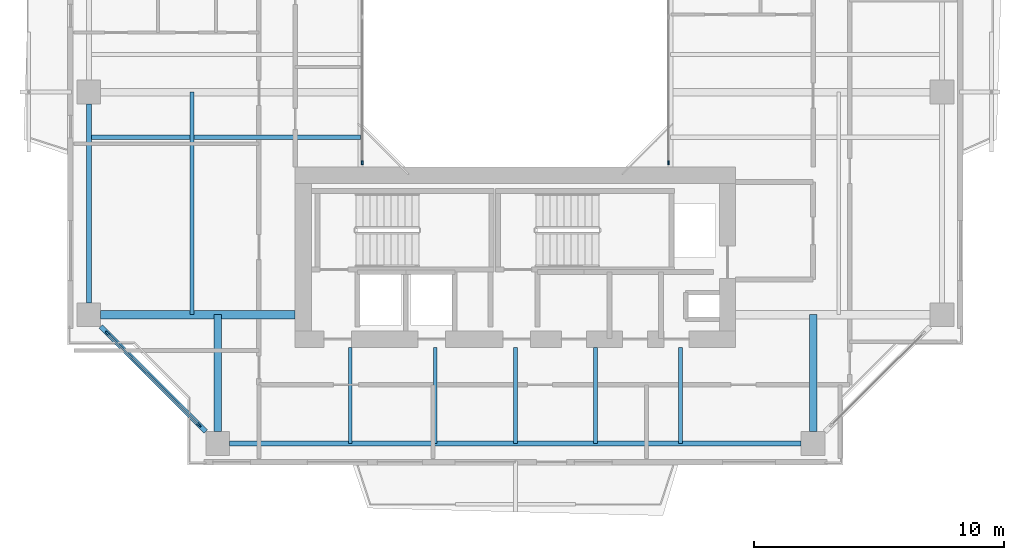
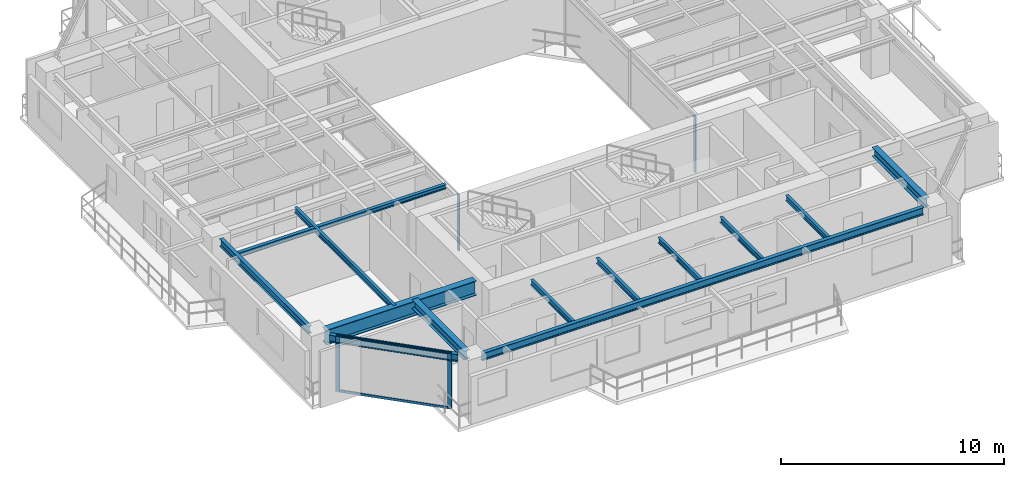
# One storey, part 2 of 17: 13 beams, 6 members, 3 elements without a shape of their own.
"""IFC4 building model written with IfcOpenShell, lengths in metres."""

from ifc_helpers import new_model, si_unit, direction, frame, origin, origin_2d, place, context, subcontext, project, spatial, rectangle, i_section, extrude, source, transform, mapped, material, layer, layer_set, material_profile, profile_set, type_object, element, aggregate, save


model = new_model("IFC4")

# Units and contexts
model_context = context("Model", 3, precision=1e-05, world=origin(), true_north=direction((0.0, 1.0)))
body_context = subcontext(model_context, "Body", "Model", "MODEL_VIEW")
ifc_project = project(units=[si_unit("LENGTHUNIT", "METRE"), si_unit("AREAUNIT", "SQUARE_METRE"), si_unit("VOLUMEUNIT", "CUBIC_METRE"), si_unit("PLANEANGLEUNIT", "RADIAN"), si_unit("MASSUNIT", "GRAM", prefix="KILO"), si_unit("THERMODYNAMICTEMPERATUREUNIT", "KELVIN"), si_unit("POWERUNIT", "WATT")], contexts=[model_context])

# Site, building, storey
site_placement = place(None, origin())
site = spatial("IfcSite", under=ifc_project, at=site_placement, CompositionType="ELEMENT")
building_placement = place(site_placement, origin())
building = spatial("IfcBuilding", under=site, at=building_placement, Name="Qiaomeng Ring Towers", CompositionType="ELEMENT")
storey_placement = place(building_placement, frame((0.0, 0.0, 150.25)))
storey = spatial("IfcBuildingStorey", under=building, at=storey_placement, Name="L43", CompositionType="ELEMENT", Elevation=150.25)

# Beams
ifc_material_1 = material(Name="Steel Q355B", Category="steel")
ifc_material_profile_1 = material_profile(ifc_material_1, i_section(OverallWidth=0.14990234375, OverallDepth=0.300048828125, WebThickness=0.006591796875, FlangeThickness=0.009033203125, FilletRadius=0.012939453125, at=origin_2d()), Name="HN 300x150x6.5x9")
ifc_profile_set_1 = profile_set([ifc_material_profile_1], Name="Steel Q355B")
beam_type_1 = type_object("IfcBeamType", Name="STR-BM-HN300", PredefinedType="JOIST", material=ifc_profile_set_1)
shared_shape_1 = source(origin(), body_context, "Body", "SweptSolid", [
    extrude(i_section(OverallWidth=0.14990234375, OverallDepth=0.300048828125, WebThickness=0.006591796875, FlangeThickness=0.009033203125, FilletRadius=0.012939453125, at=origin_2d()), origin(), (0.0, 0.0, 1.0), 3.85009765625),
])
for number, where, z_axis, x_axis, name in (
    (1, (12.39990234375, 5.949951171875, 2.919921875), (0.0, 1.0, 0.0), (-1.0, 0.0, 0.0), "L43 beam STR-JST-L43-T1S-1"),
    (2, (15.800048828125, 5.949951171875, 2.919921875), (0.0, 1.0, 0.0), (-1.0, 0.0, 0.0), "L43 beam STR-JST-L43-T1S-2"),
    (3, (19.0, 5.949951171875, 2.919921875), (0.0, 1.0, 0.0), (-1.0, 0.0, 0.0), "L43 beam STR-JST-L43-T1S-3"),
    (4, (22.199951171875, 5.949951171875, 2.919921875), (0.0, 1.0, 0.0), (-1.0, 0.0, 0.0), "L43 beam STR-JST-L43-T1S-4"),
    (5, (25.60009765625, 5.949951171875, 2.919921875), (0.0, 1.0, 0.0), (-1.0, 0.0, 0.0), "L43 beam STR-JST-L43-T1S-5"),
):
    element("IfcBeam", number, at=place(storey_placement, frame(where, z_axis=z_axis, x_axis=x_axis)), inside=storey, type_object=beam_type_1, Name=name, PredefinedType="JOIST", context=body_context, shape_type="MappedRepresentation", body=[
        mapped(shared_shape_1, transform((0.0, 0.0, 0.0), x_axis=(1.0, 0.0, 0.0), y_axis=(0.0, 1.0, 0.0), z_axis=(0.0, 0.0, 1.0), scale=1.0)),
    ])
ifc_material_profile_2 = material_profile(ifc_material_1, i_section(OverallWidth=0.175048828125, OverallDepth=0.243896484375, WebThickness=0.007080078125, FlangeThickness=0.010986328125, FilletRadius=0.01611328125, at=origin_2d()), Name="HM 244x175x7x11")
ifc_profile_set_2 = profile_set([ifc_material_profile_2], Name="Steel Q355B")
beam_type_2 = type_object("IfcBeamType", Name="STR-BM-HM244", PredefinedType="JOIST", material=ifc_profile_set_2)
shared_shape_2 = source(origin(), body_context, "Body", "SweptSolid", [
    extrude(i_section(OverallWidth=0.175048828125, OverallDepth=0.243896484375, WebThickness=0.007080078125, FlangeThickness=0.010986328125, FilletRadius=0.01611328125, at=origin_2d()), origin(), (0.0, 0.0, 1.0), 10.85009765625),
])
beam_1_placement = place(storey_placement, frame((1.949951171875, 18.199951171875, 2.947998046875), z_axis=(1.0, 0.0, 0.0), x_axis=(0.0, 1.0, 0.0)))
element("IfcBeam", 6, at=beam_1_placement, inside=storey, type_object=beam_type_2, Name="L43 beam STR-JST-L43-T1W-1", PredefinedType="JOIST", context=body_context, shape_type="MappedRepresentation", body=[
    mapped(shared_shape_2, transform((0.0, 0.0, 0.0), x_axis=(1.0, 0.0, 0.0), y_axis=(0.0, 1.0, 0.0), z_axis=(0.0, 0.0, 1.0), scale=1.0)),
])
shared_shape_3 = source(origin(), body_context, "Body", "SweptSolid", [
    extrude(i_section(OverallWidth=0.14990234375, OverallDepth=0.300048828125, WebThickness=0.006591796875, FlangeThickness=0.009033203125, FilletRadius=0.012939453125, at=origin_2d()), origin(), (0.0, 0.0, 1.0), 8.89990234375),
])
beam_2_placement = place(storey_placement, frame((6.074951171875, 11.10009765625, 2.919921875), z_axis=(0.0, 1.0, 0.0), x_axis=(-1.0, 0.0, 0.0)))
element("IfcBeam", 7, at=beam_2_placement, inside=storey, type_object=beam_type_1, Name="L43 beam STR-JST-L43-T1C-WS", PredefinedType="JOIST", context=body_context, shape_type="MappedRepresentation", body=[
    mapped(shared_shape_3, transform((0.0, 0.0, 0.0), x_axis=(1.0, 0.0, 0.0), y_axis=(0.0, 1.0, 0.0), z_axis=(0.0, 0.0, 1.0), scale=1.0)),
])
ifc_material_profile_3 = material_profile(ifc_material_1, i_section(OverallWidth=0.199951171875, OverallDepth=0.39990234375, WebThickness=0.008056640625, FlangeThickness=0.012939453125, FilletRadius=0.01611328125, at=origin_2d()), Name="HN 400x200x8x13")
ifc_profile_set_3 = profile_set([ifc_material_profile_3], Name="Steel Q355B")
beam_type_3 = type_object("IfcBeamType", Name="STR-BM-HN400", PredefinedType="SPANDREL", material=ifc_profile_set_3)
shared_shape_4 = source(origin(), body_context, "Body", "SweptSolid", [
    extrude(i_section(OverallWidth=0.199951171875, OverallDepth=0.39990234375, WebThickness=0.008056640625, FlangeThickness=0.012939453125, FilletRadius=0.01611328125, at=origin_2d()), origin(), (0.0, 0.0, 1.0), 22.85205078125),
])
beam_3_placement = place(storey_placement, frame((7.573974609375, 5.949951171875, 2.8701171875), z_axis=(1.0, 0.0, 0.0), x_axis=(0.0, 1.0, 0.0)))
element("IfcBeam", 8, at=beam_3_placement, inside=storey, type_object=beam_type_3, Name="L43 beam STR-SP-L43-T1-S1-S2", PredefinedType="SPANDREL", context=body_context, shape_type="MappedRepresentation", body=[
    mapped(shared_shape_4, transform((0.0, 0.0, 0.0), x_axis=(1.0, 0.0, 0.0), y_axis=(0.0, 1.0, 0.0), z_axis=(0.0, 0.0, 1.0), scale=1.0)),
])
shared_shape_5 = source(origin(), body_context, "Body", "SweptSolid", [
    extrude(i_section(OverallWidth=0.199951171875, OverallDepth=0.39990234375, WebThickness=0.008056640625, FlangeThickness=0.012939453125, FilletRadius=0.01611328125, at=origin_2d()), origin(), (0.0, 0.0, 1.0), 5.941650390625),
])
beam_4_placement = place(storey_placement, frame((2.42431640625, 10.625732421875, 2.8701171875), z_axis=(0.707106781187, -0.707106781187, 0.0), x_axis=(0.707106781187, 0.707106781187, 0.0)))
element("IfcBeam", 9, at=beam_4_placement, inside=storey, type_object=beam_type_3, Name="L43 beam STR-SP-L43-T1-W1-S1", PredefinedType="SPANDREL", context=body_context, shape_type="MappedRepresentation", body=[
    mapped(shared_shape_5, transform((0.0, 0.0, 0.0), x_axis=(1.0, 0.0, 0.0), y_axis=(0.0, 1.0, 0.0), z_axis=(0.0, 0.0, 1.0), scale=1.0)),
])
shared_shape_6 = source(origin(), body_context, "Body", "SweptSolid", [
    extrude(i_section(OverallWidth=0.199951171875, OverallDepth=0.39990234375, WebThickness=0.008056640625, FlangeThickness=0.012939453125, FilletRadius=0.01611328125, at=origin_2d()), origin(), (0.0, 0.0, 1.0), 7.951904296875),
])
beam_5_placement = place(storey_placement, frame((1.949951171875, 19.52587890625, 2.8701171875), z_axis=(0.0, -1.0, 0.0), x_axis=(1.0, 0.0, 0.0)))
element("IfcBeam", 10, at=beam_5_placement, inside=storey, type_object=beam_type_3, Name="L43 beam STR-SP-L43-T1-W2-W1", PredefinedType="SPANDREL", context=body_context, shape_type="MappedRepresentation", body=[
    mapped(shared_shape_6, transform((0.0, 0.0, 0.0), x_axis=(1.0, 0.0, 0.0), y_axis=(0.0, 1.0, 0.0), z_axis=(0.0, 0.0, 1.0), scale=1.0)),
])
ifc_material_2 = material(Name="Steel Q390GJC", Category="steel")
ifc_material_profile_4 = material_profile(ifc_material_2, i_section(OverallWidth=0.35009765625, OverallDepth=0.800048828125, WebThickness=0.01611328125, FlangeThickness=0.028076171875, at=origin_2d()), Name="WH 800x350x16x28")
ifc_profile_set_4 = profile_set([ifc_material_profile_4], Name="Steel Q390GJC")
beam_type_4 = type_object("IfcBeamType", Name="STR-BM-WH800", PredefinedType="BEAM", material=ifc_profile_set_4)
shared_shape_7 = source(origin(), body_context, "Body", "SweptSolid", [
    extrude(i_section(OverallWidth=0.35009765625, OverallDepth=0.800048828125, WebThickness=0.01611328125, FlangeThickness=0.028076171875, at=origin_2d()), origin(), (0.0, 0.0, 1.0), 7.77587890625),
])
beam_6_placement = place(storey_placement, frame((2.424072265625, 11.10009765625, 2.669921875), z_axis=(1.0, 0.0, 0.0), x_axis=(0.0, 1.0, 0.0)))
element("IfcBeam", 11, at=beam_6_placement, inside=storey, type_object=beam_type_4, Name="L43 beam STR-BM-L43-T1-RAD-W1", PredefinedType="BEAM", context=body_context, shape_type="MappedRepresentation", body=[
    mapped(shared_shape_7, transform((0.0, 0.0, 0.0), x_axis=(1.0, 0.0, 0.0), y_axis=(0.0, 1.0, 0.0), z_axis=(0.0, 0.0, 1.0), scale=1.0)),
])
ifc_material_profile_5 = material_profile(ifc_material_1, i_section(OverallWidth=0.300048828125, OverallDepth=0.488037109375, WebThickness=0.010986328125, FlangeThickness=0.01806640625, FilletRadius=0.02587890625, at=origin_2d()), Name="HM 488x300x11x18")
ifc_profile_set_5 = profile_set([ifc_material_profile_5], Name="Steel Q355B")
beam_type_5 = type_object("IfcBeamType", Name="STR-BM-HM488", PredefinedType="BEAM", material=ifc_profile_set_5)
shared_shape_8 = source(origin(), body_context, "Body", "SweptSolid", [
    extrude(i_section(OverallWidth=0.300048828125, OverallDepth=0.488037109375, WebThickness=0.010986328125, FlangeThickness=0.01806640625, FilletRadius=0.02587890625, at=origin_2d()), origin(), (0.0, 0.0, 1.0), 4.676025390625),
])
for number, where, z_axis, x_axis, name in (
    (12, (7.10009765625, 6.424072265625, 2.825927734375), (0.0, 1.0, 0.0), (-1.0, 0.0, 0.0), "L43 beam STR-BM-L43-T1-RAD-S1"),
    (13, (30.89990234375, 6.424072265625, 2.825927734375), (0.0, 1.0, 0.0), (-1.0, 0.0, 0.0), "L43 beam STR-BM-L43-T1-RAD-S2"),
):
    element("IfcBeam", number, at=place(storey_placement, frame(where, z_axis=z_axis, x_axis=x_axis)), inside=storey, type_object=beam_type_5, Name=name, PredefinedType="BEAM", context=body_context, shape_type="MappedRepresentation", body=[
        mapped(shared_shape_8, transform((0.0, 0.0, 0.0), x_axis=(1.0, 0.0, 0.0), y_axis=(0.0, 1.0, 0.0), z_axis=(0.0, 0.0, 1.0), scale=1.0)),
    ])

# Curtain wall, member
ifc_material_3 = material(Name="Fluorocarbon dark-grey aluminium", Category="aluminium")
ifc_layer_1 = layer(ifc_material_3, 0.139892578125, Name="Fluorocarbon dark-grey aluminium")
ifc_layer_set_1 = layer_set([ifc_layer_1], Name="Fluorocarbon dark-grey aluminium")
curtain_wall_type_1 = type_object("IfcCurtainWallType", Name="ARC-CW-4", PredefinedType="NOTDEFINED", material=ifc_layer_set_1)
curtain_wall_1_placement = place(storey_placement, origin())
curtain_wall_1 = element("IfcCurtainWall", 14, at=curtain_wall_1_placement, inside=storey, type_object=curtain_wall_type_1, Name="L43 Curtain Wall CW4", PredefinedType="NOTDEFINED")
ifc_material_profile_6 = material_profile(ifc_material_3, rectangle(XDim=0.06494140625, YDim=0.159912109375, at=origin_2d()), Name="ALU MULL 65x160")
ifc_profile_set_6 = profile_set([ifc_material_profile_6], Name="Fluorocarbon dark-grey aluminium")
member_type_1 = type_object("IfcMemberType", Name="ARC-CWM-140", PredefinedType="MULLION", material=ifc_profile_set_6)
shared_shape_9 = source(origin(), body_context, "Body", "SweptSolid", [
    extrude(rectangle(XDim=0.06494140625, YDim=0.159912109375, at=origin_2d()), origin(), (0.0, 0.0, 1.0), 3.070068359375),
])
member_1_placement = place(storey_placement, frame((12.8798828125, 17.1826171875, 0.0), z_axis=(0.0, 0.0, 1.0), x_axis=(-1.0, 0.0, 0.0)))
member_1 = element("IfcMember", 15, at=member_1_placement, type_object=member_type_1, Name="CW4 mullion 1", PredefinedType="MULLION", context=body_context, shape_type="MappedRepresentation", body=[
    mapped(shared_shape_9, transform((0.0, 0.0, 0.0), x_axis=(1.0, 0.0, 0.0), y_axis=(0.0, 1.0, 0.0), z_axis=(0.0, 0.0, 1.0), scale=1.0)),
])
aggregate(curtain_wall_1, [member_1])

curtain_wall_2_placement = place(storey_placement, origin())
curtain_wall_2 = element("IfcCurtainWall", 16, at=curtain_wall_2_placement, inside=storey, type_object=curtain_wall_type_1, Name="L43 Curtain Wall CW4", PredefinedType="NOTDEFINED")
member_2_placement = place(storey_placement, frame((25.1201171875, 17.1826171875, 0.0), z_axis=(0.0, 0.0, 1.0), x_axis=(-1.0, 0.0, 0.0)))
member_2 = element("IfcMember", 17, at=member_2_placement, type_object=member_type_1, Name="CW4 mullion 1", PredefinedType="MULLION", context=body_context, shape_type="MappedRepresentation", body=[
    mapped(shared_shape_9, transform((0.0, 0.0, 0.0), x_axis=(1.0, 0.0, 0.0), y_axis=(0.0, 1.0, 0.0), z_axis=(0.0, 0.0, 1.0), scale=1.0)),
])
aggregate(curtain_wall_2, [member_2])

# Curtain wall, members
ifc_layer_2 = layer(ifc_material_3, 0.14990234375, Name="Fluorocarbon dark-grey aluminium")
ifc_layer_set_2 = layer_set([ifc_layer_2], Name="Fluorocarbon dark-grey aluminium")
curtain_wall_type_2 = type_object("IfcCurtainWallType", Name="ARC-CW-3", PredefinedType="NOTDEFINED", material=ifc_layer_set_2)
curtain_wall_3_placement = place(storey_placement, origin())
curtain_wall_3 = element("IfcCurtainWall", 18, at=curtain_wall_3_placement, inside=storey, type_object=curtain_wall_type_2, Name="L43 Curtain Wall CW3", PredefinedType="NOTDEFINED")
ifc_material_profile_7 = material_profile(ifc_material_3, rectangle(XDim=0.070068359375, YDim=0.179931640625, at=origin_2d()), Name="ALU MULL 70x180")
ifc_profile_set_7 = profile_set([ifc_material_profile_7], Name="Fluorocarbon dark-grey aluminium")
member_type_2 = type_object("IfcMemberType", Name="ARC-CWM-160", PredefinedType="MULLION", material=ifc_profile_set_7)
shared_shape_10 = source(origin(), body_context, "Body", "SweptSolid", [
    extrude(rectangle(XDim=0.070068359375, YDim=0.179931640625, at=origin_2d()), origin(), (0.0, 0.0, 1.0), 3.070068359375),
])
member_3_placement = place(storey_placement, frame((2.689697265625, 10.3603515625, 0.0), z_axis=(0.0, 0.0, 1.0), x_axis=(0.707106781187, 0.707106781187, 0.0)))
member_3 = element("IfcMember", 19, at=member_3_placement, type_object=member_type_2, Name="CW3 mullion 1", PredefinedType="MULLION", context=body_context, shape_type="MappedRepresentation", body=[
    mapped(shared_shape_10, transform((0.0, 0.0, 0.0), x_axis=(1.0, 0.0, 0.0), y_axis=(0.0, 1.0, 0.0), z_axis=(0.0, 0.0, 1.0), scale=1.0)),
])
member_4_placement = place(storey_placement, frame((6.3603515625, 6.689697265625, 0.0), z_axis=(0.0, 0.0, 1.0), x_axis=(0.707106781187, 0.707106781187, 0.0)))
member_4 = element("IfcMember", 20, at=member_4_placement, type_object=member_type_2, Name="CW3 mullion 2", PredefinedType="MULLION", context=body_context, shape_type="MappedRepresentation", body=[
    mapped(shared_shape_10, transform((0.0, 0.0, 0.0), x_axis=(1.0, 0.0, 0.0), y_axis=(0.0, 1.0, 0.0), z_axis=(0.0, 0.0, 1.0), scale=1.0)),
])
ifc_material_profile_8 = material_profile(ifc_material_3, rectangle(XDim=0.06494140625, YDim=0.1298828125, at=origin_2d()), Name="ALU TRAN 65x130")
ifc_profile_set_8 = profile_set([ifc_material_profile_8], Name="Fluorocarbon dark-grey aluminium")
member_type_3 = type_object("IfcMemberType", Name="ARC-CWT-120", PredefinedType="USERDEFINED", material=ifc_profile_set_8)
shared_shape_11 = source(origin(), body_context, "Body", "SweptSolid", [
    extrude(rectangle(XDim=0.06494140625, YDim=0.1298828125, at=origin_2d()), origin(), (0.0, 0.0, 1.0), 5.12060546875),
])
member_5_placement = place(storey_placement, frame((2.714599609375, 10.33544921875, 0.032470703125), z_axis=(0.707106781187, -0.707106781187, 0.0), x_axis=(0.707106781187, 0.707106781187, 0.0)))
member_5 = element("IfcMember", 21, at=member_5_placement, type_object=member_type_3, Name="CW3 transom 1.1", ObjectType="TRANSOM", PredefinedType="USERDEFINED", context=body_context, shape_type="MappedRepresentation", body=[
    mapped(shared_shape_11, transform((0.0, 0.0, 0.0), x_axis=(1.0, 0.0, 0.0), y_axis=(0.0, 1.0, 0.0), z_axis=(0.0, 0.0, 1.0), scale=1.0)),
])
member_6_placement = place(storey_placement, frame((2.714599609375, 10.33544921875, 3.03759765625), z_axis=(0.707106781187, -0.707106781187, 0.0), x_axis=(0.707106781187, 0.707106781187, 0.0)))
member_6 = element("IfcMember", 22, at=member_6_placement, type_object=member_type_3, Name="CW3 transom 1.2", ObjectType="TRANSOM", PredefinedType="USERDEFINED", context=body_context, shape_type="MappedRepresentation", body=[
    mapped(shared_shape_11, transform((0.0, 0.0, 0.0), x_axis=(1.0, 0.0, 0.0), y_axis=(0.0, 1.0, 0.0), z_axis=(0.0, 0.0, 1.0), scale=1.0)),
])
aggregate(curtain_wall_3, [member_3, member_4, member_5, member_6])

save(model, "model.ifc")
